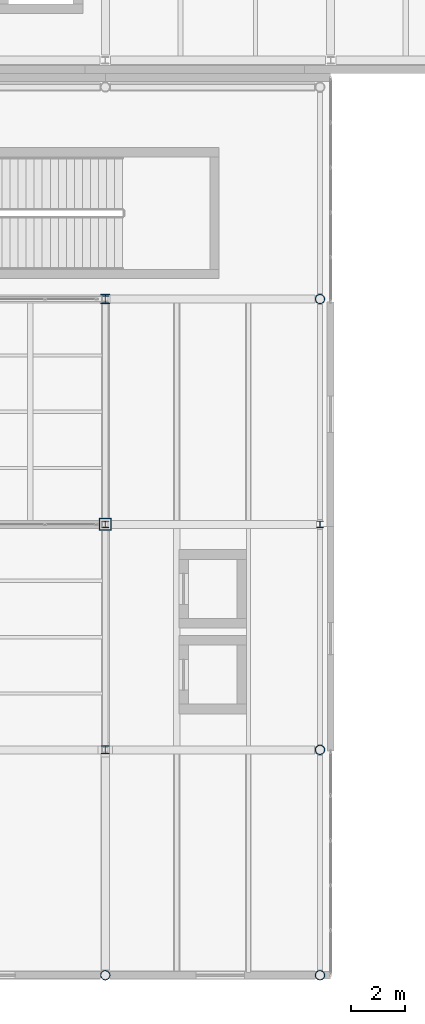
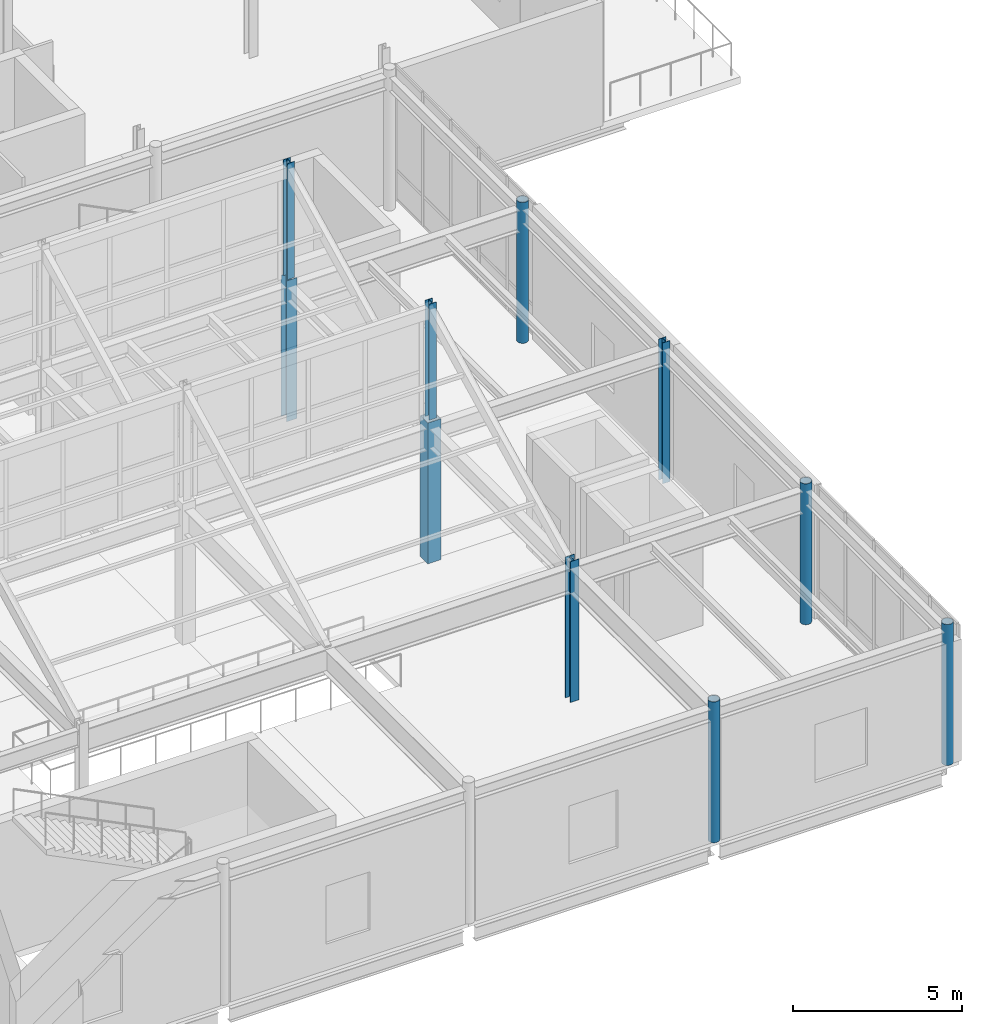
# One storey, part 12 of 91: 10 columns.
"""IFC4 building model written with IfcOpenShell, lengths in metres."""

from ifc_helpers import new_model, si_unit, direction, frame, origin, origin_2d, place, context, subcontext, project, spatial, hollow_rectangle, hollow_circle, i_section, extrude, material, material_profile, profile_set, type_object, element, save


model = new_model("IFC4")

# Units and contexts
model_context = context("Model", 3, precision=1e-05, world=origin(), true_north=direction((0.0, 1.0)))
body_context = subcontext(model_context, "Body", "Model", "MODEL_VIEW")
ifc_project = project(units=[si_unit("LENGTHUNIT", "METRE"), si_unit("AREAUNIT", "SQUARE_METRE"), si_unit("VOLUMEUNIT", "CUBIC_METRE"), si_unit("PLANEANGLEUNIT", "RADIAN"), si_unit("MASSUNIT", "GRAM", prefix="KILO"), si_unit("THERMODYNAMICTEMPERATUREUNIT", "KELVIN")], contexts=[model_context])

# Site, building, storey
site_placement = place(None, origin())
site = spatial("IfcSite", under=ifc_project, at=site_placement, CompositionType="ELEMENT")
building_placement = place(site_placement, origin())
building = spatial("IfcBuilding", under=site, at=building_placement, Name="Lustrewick Department Store", CompositionType="ELEMENT")
storey_placement = place(building_placement, frame((0.0, 0.0, 21.60009765625)))
storey = spatial("IfcBuildingStorey", under=building, at=storey_placement, Name="L05", CompositionType="ELEMENT", Elevation=21.60009765625)

# Columns
ifc_material = material(Name="Structural steel Q355B", Category="steel")
ifc_material_profile_1 = material_profile(ifc_material, hollow_rectangle(XDim=0.449951171875, YDim=0.449951171875, WallThickness=0.01806640625, at=origin_2d()), Name="BOX 450x450x18")
ifc_profile_set_1 = profile_set([ifc_material_profile_1], Name="Structural steel Q355B")
column_type_1 = type_object("IfcColumnType", Name="C07", PredefinedType="COLUMN", material=ifc_profile_set_1)
column_1_placement = place(storey_placement, frame((142.800048828125, 33.60009765625, 0.0), z_axis=(0.0, 0.0, 1.0), x_axis=(1.0, 0.0, 0.0)))
element("IfcColumn", 1, at=column_1_placement, inside=storey, type_object=column_type_1, Name="L05 V3 Column C07", PredefinedType="COLUMN", context=body_context, shape_type="SweptSolid", body=[
    extrude(hollow_rectangle(XDim=0.449951171875, YDim=0.449951171875, WallThickness=0.01806640625, at=origin_2d()), origin(), (0.0, 0.0, 1.0), 5.099853515625),
])
ifc_material_profile_2 = material_profile(ifc_material, i_section(OverallWidth=0.347900390625, OverallDepth=0.343994140625, WebThickness=0.010009765625, FlangeThickness=0.01611328125, FilletRadius=0.02001953125, at=origin_2d()), Name="HW 344x348x10x16")
ifc_profile_set_2 = profile_set([ifc_material_profile_2], Name="Structural steel Q355B")
column_type_2 = type_object("IfcColumnType", Name="C14", PredefinedType="COLUMN", material=ifc_profile_set_2)
column_2_placement = place(storey_placement, frame((142.800048828125, 42.0, 0.0), z_axis=(0.0, 0.0, 1.0), x_axis=(1.0, 0.0, 0.0)))
element("IfcColumn", 2, at=column_2_placement, inside=storey, type_object=column_type_2, Name="L05 V3 Column C14", PredefinedType="COLUMN", context=body_context, shape_type="SweptSolid", body=[
    extrude(i_section(OverallWidth=0.347900390625, OverallDepth=0.343994140625, WebThickness=0.010009765625, FlangeThickness=0.01611328125, FilletRadius=0.02001953125, at=origin_2d()), origin(), (0.0, 0.0, 1.0), 5.099853515625),
])
ifc_material_profile_3 = material_profile(ifc_material, i_section(OverallWidth=0.300048828125, OverallDepth=0.300048828125, WebThickness=0.010009765625, FlangeThickness=0.014892578125, FilletRadius=0.01806640625, at=origin_2d()), Name="HW 300x300x10x15")
ifc_profile_set_3 = profile_set([ifc_material_profile_3], Name="Structural steel Q355B")
column_type_3 = type_object("IfcColumnType", Name="C15", PredefinedType="COLUMN", material=ifc_profile_set_3)
column_3_placement = place(storey_placement, frame((142.800048828125, 25.199951171875, 0.0), z_axis=(0.0, 0.0, 1.0), x_axis=(1.0, 0.0, 0.0)))
element("IfcColumn", 3, at=column_3_placement, inside=storey, type_object=column_type_3, Name="L05 V3 Column C15", PredefinedType="COLUMN", context=body_context, shape_type="SweptSolid", body=[
    extrude(i_section(OverallWidth=0.300048828125, OverallDepth=0.300048828125, WebThickness=0.010009765625, FlangeThickness=0.014892578125, FilletRadius=0.01806640625, at=origin_2d()), origin(), (0.0, 0.0, 1.0), 5.099853515625),
])
ifc_material_profile_4 = material_profile(ifc_material, hollow_circle(Radius=0.177978515625, WallThickness=0.013916015625, at=origin_2d()), Name="CHS 356x14")
ifc_profile_set_4 = profile_set([ifc_material_profile_4], Name="Structural steel Q355B")
column_type_4 = type_object("IfcColumnType", Name="CE05", PredefinedType="COLUMN", material=ifc_profile_set_4)
for number, where, z_axis, x_axis, name in (
    (4, (142.800048828125, 16.800048828125, 0.0), (0.0, 0.0, 1.0), (1.0, 0.0, 0.0), "L05 V3 Column CE05"),
    (5, (150.800048828125, 16.800048828125, 0.0), (0.0, 0.0, 1.0), (1.0, 0.0, 0.0), "L05 V3 Column CE05"),
    (6, (150.800048828125, 25.199951171875, 0.0), (0.0, 0.0, 1.0), (1.0, 0.0, 0.0), "L05 V3 Column CE05"),
    (7, (150.800048828125, 42.0, 0.0), (0.0, 0.0, 1.0), (1.0, 0.0, 0.0), "L05 V3 Column CE05"),
):
    element("IfcColumn", number, at=place(storey_placement, frame(where, z_axis=z_axis, x_axis=x_axis)), inside=storey, type_object=column_type_4, Name=name, PredefinedType="COLUMN", context=body_context, shape_type="SweptSolid", body=[
        extrude(hollow_circle(Radius=0.177978515625, WallThickness=0.013916015625, at=origin_2d()), origin(), (0.0, 0.0, 1.0), 5.099853515625),
    ])
ifc_material_profile_5 = material_profile(ifc_material, i_section(OverallWidth=0.25, OverallDepth=0.25, WebThickness=0.009033203125, FlangeThickness=0.013916015625, FilletRadius=0.01611328125, at=origin_2d()), Name="HW 250x250x9x14")
ifc_profile_set_5 = profile_set([ifc_material_profile_5], Name="Structural steel Q355B")
column_type_5 = type_object("IfcColumnType", Name="CE08", PredefinedType="COLUMN", material=ifc_profile_set_5)
column_4_placement = place(storey_placement, frame((150.800048828125, 33.60009765625, 0.0), z_axis=(0.0, 0.0, 1.0), x_axis=(1.0, 0.0, 0.0)))
element("IfcColumn", 8, at=column_4_placement, inside=storey, type_object=column_type_5, Name="L05 V3 Column CE08", PredefinedType="COLUMN", context=body_context, shape_type="SweptSolid", body=[
    extrude(i_section(OverallWidth=0.25, OverallDepth=0.25, WebThickness=0.009033203125, FlangeThickness=0.013916015625, FilletRadius=0.01611328125, at=origin_2d()), origin(), (0.0, 0.0, 1.0), 5.099853515625),
])
for number, where, z_axis, x_axis, name in (
    (9, (142.800048828125, 33.60009765625, 5.099853515625), (0.0, 0.0, 1.0), (1.0, 0.0, 0.0), "V3 Lantern North Post 1.142"),
    (10, (142.800048828125, 42.0, 5.099853515625), (0.0, 0.0, 1.0), (1.0, 0.0, 0.0), "V3 Lantern North Post 2.142"),
):
    element("IfcColumn", number, at=place(storey_placement, frame(where, z_axis=z_axis, x_axis=x_axis)), inside=storey, type_object=column_type_5, Name=name, PredefinedType="COLUMN", context=body_context, shape_type="SweptSolid", body=[
        extrude(i_section(OverallWidth=0.25, OverallDepth=0.25, WebThickness=0.009033203125, FlangeThickness=0.013916015625, FilletRadius=0.01611328125, at=origin_2d()), origin(), (0.0, 0.0, 1.0), 4.199951171875),
    ])

save(model, "model.ifc")
